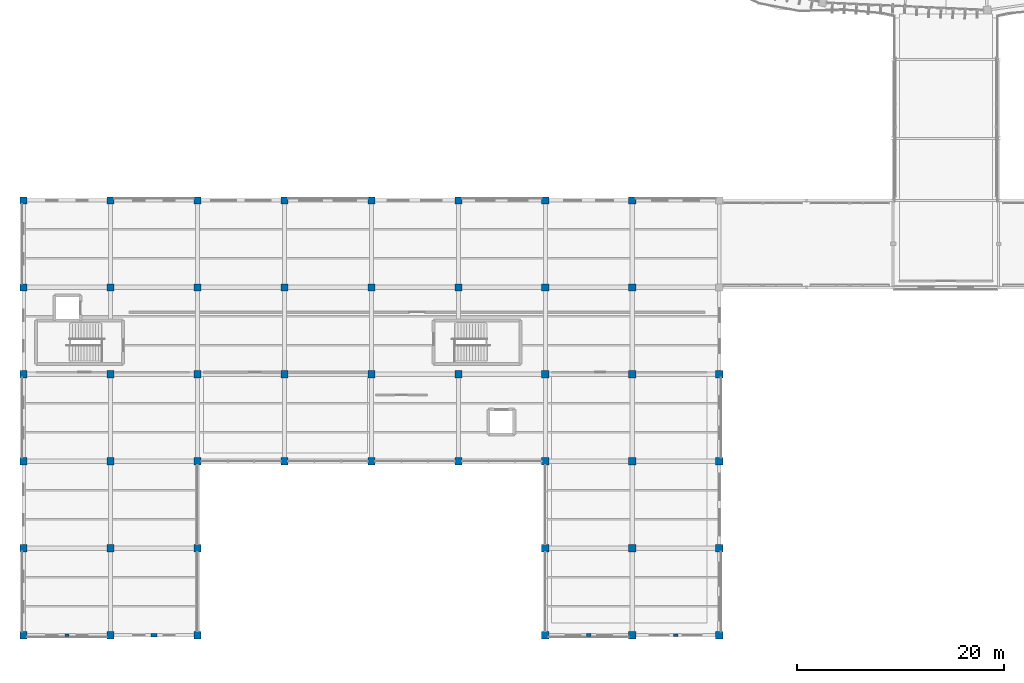
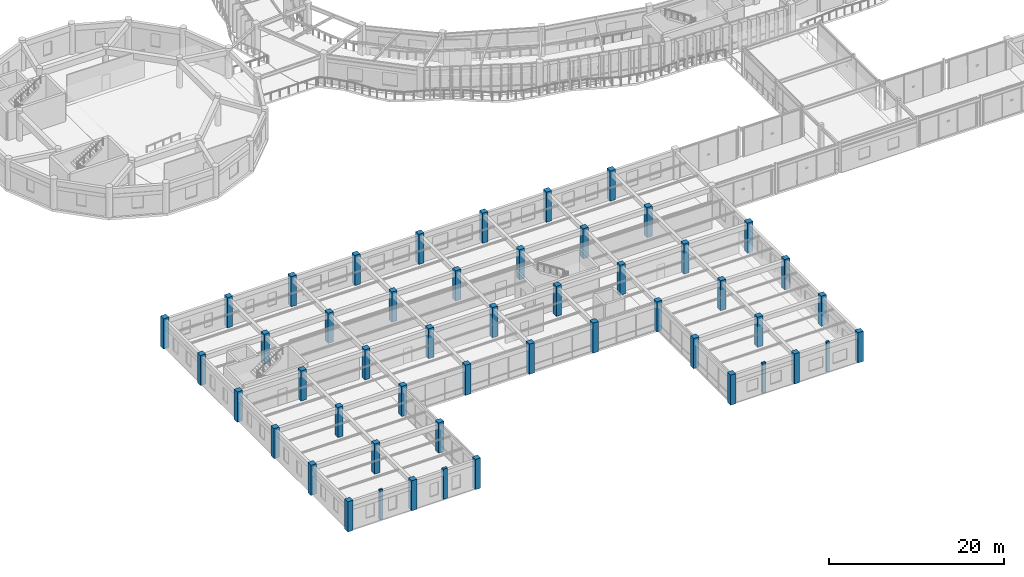
# One storey, part 1 of 152: 50 columns.
"""IFC4 building model written with IfcOpenShell, lengths in metres."""

from ifc_helpers import new_model, si_unit, direction, frame, origin, origin_2d, place, context, subcontext, project, spatial, rectangle, extrude, material, material_profile, profile_set, type_object, element, save


model = new_model("IFC4")

# Units and contexts
model_context = context("Model", 3, precision=1e-05, world=origin(), true_north=direction((0.0, 1.0)))
body_context = subcontext(model_context, "Body", "Model", "MODEL_VIEW")
ifc_project = project(units=[si_unit("LENGTHUNIT", "METRE"), si_unit("AREAUNIT", "SQUARE_METRE"), si_unit("VOLUMEUNIT", "CUBIC_METRE"), si_unit("PLANEANGLEUNIT", "RADIAN"), si_unit("MASSUNIT", "GRAM", prefix="KILO"), si_unit("THERMODYNAMICTEMPERATUREUNIT", "KELVIN"), si_unit("POWERUNIT", "WATT")], contexts=[model_context])

# Site, building, storey
site_placement = place(None, origin())
site = spatial("IfcSite", under=ifc_project, at=site_placement, CompositionType="ELEMENT")
building_placement = place(site_placement, origin())
building = spatial("IfcBuilding", under=site, at=building_placement, Name="Darbajah Civic Hall", CompositionType="ELEMENT")
storey_placement = place(building_placement, frame((0.0, 0.0, 5.39990234375)))
storey = spatial("IfcBuildingStorey", under=building, at=storey_placement, Name="L01", CompositionType="ELEMENT", Elevation=5.39990234375)

# Columns
ifc_material = material(Name="Concrete C45/55", Category="concrete")
ifc_material_profile_1 = material_profile(ifc_material, rectangle(XDim=0.39990234375, YDim=0.25, at=origin_2d()), Name="PILASTER 400x250")
ifc_profile_set_1 = profile_set([ifc_material_profile_1], Name="Concrete C45/55")
column_type_1 = type_object("IfcColumnType", Name="PILASTER 400x250", PredefinedType="PILASTER", material=ifc_profile_set_1)
for number, where, z_axis, x_axis, name in (
    (1, (4.199951171875, 0.0, 0.0), (0.0, 0.0, 1.0), (1.0, 0.0, 0.0), "L01 column PL-400"),
    (2, (63.0, 0.0, 0.0), (0.0, 0.0, 1.0), (1.0, 0.0, 0.0), "L01 column PL-400"),
):
    element("IfcColumn", number, at=place(storey_placement, frame(where, z_axis=z_axis, x_axis=x_axis)), inside=storey, type_object=column_type_1, Name=name, PredefinedType="PILASTER", context=body_context, shape_type="SweptSolid", body=[
        extrude(rectangle(XDim=0.39990234375, YDim=0.25, at=origin_2d()), origin(), (0.0, 0.0, 1.0), 4.2001953125),
    ])
ifc_material_profile_2 = material_profile(ifc_material, rectangle(XDim=0.449951171875, YDim=0.300048828125, at=origin_2d()), Name="PILASTER 450x300")
ifc_profile_set_2 = profile_set([ifc_material_profile_2], Name="Concrete C45/55")
column_type_2 = type_object("IfcColumnType", Name="PILASTER 450x300", PredefinedType="PILASTER", material=ifc_profile_set_2)
column_1_placement = place(storey_placement, frame((54.60009765625, 0.0, 0.0), z_axis=(0.0, 0.0, 1.0), x_axis=(1.0, 0.0, 0.0)))
element("IfcColumn", 3, at=column_1_placement, inside=storey, type_object=column_type_2, Name="L01 column PL-450", PredefinedType="PILASTER", context=body_context, shape_type="SweptSolid", body=[
    extrude(rectangle(XDim=0.449951171875, YDim=0.300048828125, at=origin_2d()), origin(), (0.0, 0.0, 1.0), 4.2001953125),
])
ifc_material_profile_3 = material_profile(ifc_material, rectangle(XDim=0.550048828125, YDim=0.35009765625, at=origin_2d()), Name="PILASTER 550x350")
ifc_profile_set_3 = profile_set([ifc_material_profile_3], Name="Concrete C45/55")
column_type_3 = type_object("IfcColumnType", Name="PILASTER 550x350", PredefinedType="PILASTER", material=ifc_profile_set_3)
column_2_placement = place(storey_placement, frame((12.60009765625, 0.0, 0.0), z_axis=(0.0, 0.0, 1.0), x_axis=(1.0, 0.0, 0.0)))
element("IfcColumn", 4, at=column_2_placement, inside=storey, type_object=column_type_3, Name="L01 column PL-550", PredefinedType="PILASTER", context=body_context, shape_type="SweptSolid", body=[
    extrude(rectangle(XDim=0.550048828125, YDim=0.35009765625, at=origin_2d()), origin(), (0.0, 0.0, 1.0), 4.2001953125),
])
ifc_material_profile_4 = material_profile(ifc_material, rectangle(XDim=0.699951171875, YDim=0.699951171875, at=origin_2d()), Name="RC COL 700x700")
ifc_profile_set_4 = profile_set([ifc_material_profile_4], Name="Concrete C45/55")
column_type_4 = type_object("IfcColumnType", Name="RC COL 700x700", PredefinedType="COLUMN", material=ifc_profile_set_4)
for number, where, z_axis, x_axis, name in (
    (5, (0.0, 0.0, 0.0), (0.0, 0.0, 1.0), (1.0, 0.0, 0.0), "L01 column C-RC700"),
    (6, (0.0, 8.39990234375, 0.0), (0.0, 0.0, 1.0), (1.0, 0.0, 0.0), "L01 column C-RC700"),
    (7, (0.0, 16.800048828125, 0.0), (0.0, 0.0, 1.0), (1.0, 0.0, 0.0), "L01 column C-RC700"),
    (8, (0.0, 25.199951171875, 0.0), (0.0, 0.0, 1.0), (1.0, 0.0, 0.0), "L01 column C-RC700"),
    (9, (0.0, 33.60009765625, 0.0), (0.0, 0.0, 1.0), (1.0, 0.0, 0.0), "L01 column C-RC700"),
    (10, (0.0, 42.0, 0.0), (0.0, 0.0, 1.0), (1.0, 0.0, 0.0), "L01 column C-RC700"),
    (11, (8.39990234375, 0.0, 0.0), (0.0, 0.0, 1.0), (1.0, 0.0, 0.0), "L01 column C-RC700"),
    (12, (8.39990234375, 8.39990234375, 0.0), (0.0, 0.0, 1.0), (1.0, 0.0, 0.0), "L01 column C-RC700"),
    (13, (8.39990234375, 16.800048828125, 0.0), (0.0, 0.0, 1.0), (1.0, 0.0, 0.0), "L01 column C-RC700"),
    (14, (8.39990234375, 25.199951171875, 0.0), (0.0, 0.0, 1.0), (1.0, 0.0, 0.0), "L01 column C-RC700"),
    (15, (8.39990234375, 33.60009765625, 0.0), (0.0, 0.0, 1.0), (1.0, 0.0, 0.0), "L01 column C-RC700"),
    (16, (8.39990234375, 42.0, 0.0), (0.0, 0.0, 1.0), (1.0, 0.0, 0.0), "L01 column C-RC700"),
    (17, (16.800048828125, 0.0, 0.0), (0.0, 0.0, 1.0), (1.0, 0.0, 0.0), "L01 column C-RC700"),
    (18, (16.800048828125, 8.39990234375, 0.0), (0.0, 0.0, 1.0), (1.0, 0.0, 0.0), "L01 column C-RC700"),
    (19, (16.800048828125, 16.800048828125, 0.0), (0.0, 0.0, 1.0), (1.0, 0.0, 0.0), "L01 column C-RC700"),
    (20, (16.800048828125, 25.199951171875, 0.0), (0.0, 0.0, 1.0), (1.0, 0.0, 0.0), "L01 column C-RC700"),
    (21, (16.800048828125, 33.60009765625, 0.0), (0.0, 0.0, 1.0), (1.0, 0.0, 0.0), "L01 column C-RC700"),
    (22, (16.800048828125, 42.0, 0.0), (0.0, 0.0, 1.0), (1.0, 0.0, 0.0), "L01 column C-RC700"),
    (23, (25.199951171875, 16.800048828125, 0.0), (0.0, 0.0, 1.0), (1.0, 0.0, 0.0), "L01 column C-RC700"),
    (24, (25.199951171875, 25.199951171875, 0.0), (0.0, 0.0, 1.0), (1.0, 0.0, 0.0), "L01 column C-RC700"),
    (25, (25.199951171875, 33.60009765625, 0.0), (0.0, 0.0, 1.0), (1.0, 0.0, 0.0), "L01 column C-RC700"),
    (26, (25.199951171875, 42.0, 0.0), (0.0, 0.0, 1.0), (1.0, 0.0, 0.0), "L01 column C-RC700"),
    (27, (33.60009765625, 16.800048828125, 0.0), (0.0, 0.0, 1.0), (1.0, 0.0, 0.0), "L01 column C-RC700"),
    (28, (33.60009765625, 25.199951171875, 0.0), (0.0, 0.0, 1.0), (1.0, 0.0, 0.0), "L01 column C-RC700"),
    (29, (33.60009765625, 33.60009765625, 0.0), (0.0, 0.0, 1.0), (1.0, 0.0, 0.0), "L01 column C-RC700"),
    (30, (33.60009765625, 42.0, 0.0), (0.0, 0.0, 1.0), (1.0, 0.0, 0.0), "L01 column C-RC700"),
    (31, (42.0, 16.800048828125, 0.0), (0.0, 0.0, 1.0), (1.0, 0.0, 0.0), "L01 column C-RC700"),
    (32, (42.0, 25.199951171875, 0.0), (0.0, 0.0, 1.0), (1.0, 0.0, 0.0), "L01 column C-RC700"),
    (33, (42.0, 33.60009765625, 0.0), (0.0, 0.0, 1.0), (1.0, 0.0, 0.0), "L01 column C-RC700"),
    (34, (42.0, 42.0, 0.0), (0.0, 0.0, 1.0), (1.0, 0.0, 0.0), "L01 column C-RC700"),
    (35, (50.39990234375, 0.0, 0.0), (0.0, 0.0, 1.0), (1.0, 0.0, 0.0), "L01 column C-RC700"),
    (36, (50.39990234375, 8.39990234375, 0.0), (0.0, 0.0, 1.0), (1.0, 0.0, 0.0), "L01 column C-RC700"),
    (37, (50.39990234375, 16.800048828125, 0.0), (0.0, 0.0, 1.0), (1.0, 0.0, 0.0), "L01 column C-RC700"),
    (38, (50.39990234375, 25.199951171875, 0.0), (0.0, 0.0, 1.0), (1.0, 0.0, 0.0), "L01 column C-RC700"),
    (39, (50.39990234375, 33.60009765625, 0.0), (0.0, 0.0, 1.0), (1.0, 0.0, 0.0), "L01 column C-RC700"),
    (40, (50.39990234375, 42.0, 0.0), (0.0, 0.0, 1.0), (1.0, 0.0, 0.0), "L01 column C-RC700"),
    (41, (58.800048828125, 0.0, 0.0), (0.0, 0.0, 1.0), (1.0, 0.0, 0.0), "L01 column C-RC700"),
    (42, (58.800048828125, 8.39990234375, 0.0), (0.0, 0.0, 1.0), (1.0, 0.0, 0.0), "L01 column C-RC700"),
    (43, (58.800048828125, 16.800048828125, 0.0), (0.0, 0.0, 1.0), (1.0, 0.0, 0.0), "L01 column C-RC700"),
    (44, (58.800048828125, 25.199951171875, 0.0), (0.0, 0.0, 1.0), (1.0, 0.0, 0.0), "L01 column C-RC700"),
    (45, (58.800048828125, 33.60009765625, 0.0), (0.0, 0.0, 1.0), (1.0, 0.0, 0.0), "L01 column C-RC700"),
    (46, (58.800048828125, 42.0, 0.0), (0.0, 0.0, 1.0), (1.0, 0.0, 0.0), "L01 column C-RC700"),
    (47, (67.199951171875, 0.0, 0.0), (0.0, 0.0, 1.0), (1.0, 0.0, 0.0), "L01 column C-RC700"),
    (48, (67.199951171875, 8.39990234375, 0.0), (0.0, 0.0, 1.0), (1.0, 0.0, 0.0), "L01 column C-RC700"),
    (49, (67.199951171875, 16.800048828125, 0.0), (0.0, 0.0, 1.0), (1.0, 0.0, 0.0), "L01 column C-RC700"),
    (50, (67.199951171875, 25.199951171875, 0.0), (0.0, 0.0, 1.0), (1.0, 0.0, 0.0), "L01 column C-RC700"),
):
    element("IfcColumn", number, at=place(storey_placement, frame(where, z_axis=z_axis, x_axis=x_axis)), inside=storey, type_object=column_type_4, Name=name, PredefinedType="COLUMN", context=body_context, shape_type="SweptSolid", body=[
        extrude(rectangle(XDim=0.699951171875, YDim=0.699951171875, at=origin_2d()), origin(), (0.0, 0.0, 1.0), 4.2001953125),
    ])

save(model, "model.ifc")
